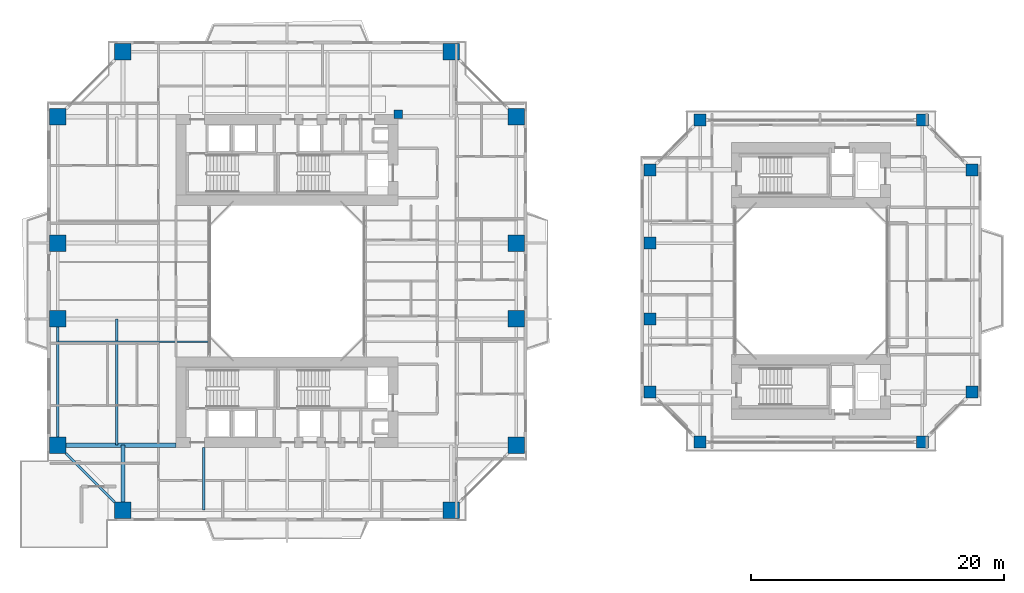
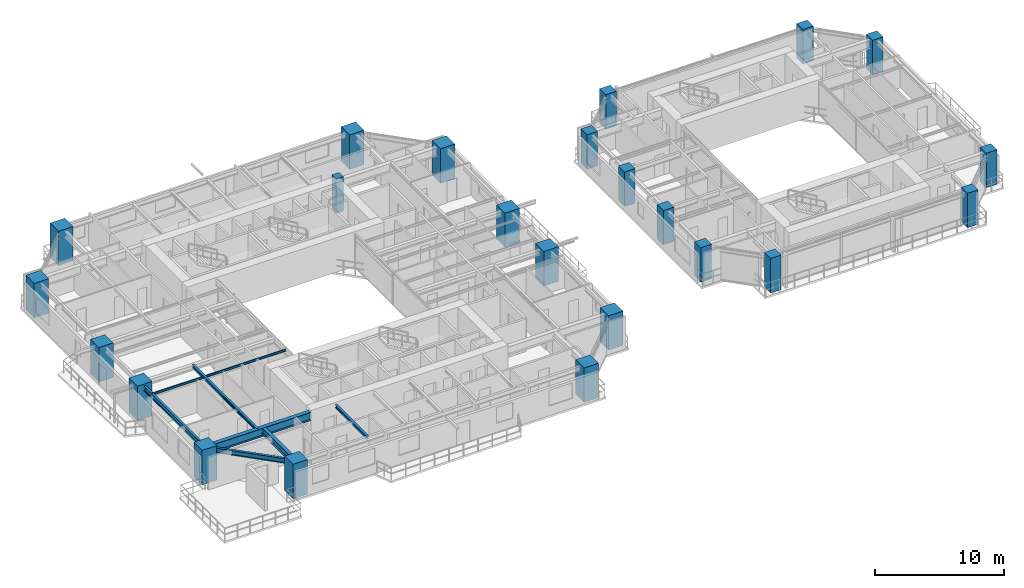
# One storey, part 1 of 22: 23 columns, 7 beams.
"""IFC4 building model written with IfcOpenShell, lengths in metres."""

from ifc_helpers import new_model, si_unit, direction, frame, origin, origin_2d, place, context, subcontext, project, spatial, rectangle, i_section, extrude, source, transform, mapped, material, material_profile, profile_set, type_object, element, save


model = new_model("IFC4")

# Units and contexts
model_context = context("Model", 3, precision=1e-05, world=origin(), true_north=direction((0.0, 1.0)))
body_context = subcontext(model_context, "Body", "Model", "MODEL_VIEW")
ifc_project = project(units=[si_unit("LENGTHUNIT", "METRE"), si_unit("AREAUNIT", "SQUARE_METRE"), si_unit("VOLUMEUNIT", "CUBIC_METRE"), si_unit("PLANEANGLEUNIT", "RADIAN"), si_unit("MASSUNIT", "GRAM", prefix="KILO"), si_unit("THERMODYNAMICTEMPERATUREUNIT", "KELVIN"), si_unit("POWERUNIT", "WATT")], contexts=[model_context])

# Site, building, storey
site_placement = place(None, origin())
site = spatial("IfcSite", under=ifc_project, at=site_placement, CompositionType="ELEMENT")
building_placement = place(site_placement, origin())
building = spatial("IfcBuilding", under=site, at=building_placement, Name="Qiaomeng Ring Towers", CompositionType="ELEMENT")
storey_placement = place(building_placement, frame((0.0, 0.0, 53.5)))
storey = spatial("IfcBuildingStorey", under=building, at=storey_placement, Name="L14", CompositionType="ELEMENT", Elevation=53.5)

# Columns
ifc_material_1 = material(Name="Concrete C50", Category="concrete")
ifc_material_profile_1 = material_profile(ifc_material_1, rectangle(XDim=0.64990234375, YDim=0.64990234375, at=origin_2d()), Name="RC COL 650x650")
ifc_profile_set_1 = profile_set([ifc_material_profile_1], Name="Concrete C50")
column_type_1 = type_object("IfcColumnType", Name="STR-PIL-650", PredefinedType="PILASTER", material=ifc_profile_set_1)
shared_shape_1 = source(origin(), body_context, "Body", "SweptSolid", [
    extrude(rectangle(XDim=0.64990234375, YDim=0.64990234375, at=origin_2d()), origin(), (0.0, 0.0, 1.0), 3.25),
])
column_placement = place(storey_placement, frame((27.800048828125, 36.199951171875, 0.0), z_axis=(0.0, 0.0, 1.0), x_axis=(1.0, 0.0, 0.0)))
element("IfcColumn", 1, at=column_placement, inside=storey, type_object=column_type_1, Name="L14 column STR-PIL-L14-N", PredefinedType="PILASTER", context=body_context, shape_type="MappedRepresentation", body=[
    mapped(shared_shape_1, transform((0.0, 0.0, 0.0), x_axis=(1.0, 0.0, 0.0), y_axis=(0.0, 1.0, 0.0), z_axis=(0.0, 0.0, 1.0), scale=1.0)),
])
ifc_material_2 = material(Name="Concrete C60", Category="concrete")
ifc_material_profile_2 = material_profile(ifc_material_2, rectangle(XDim=1.300048828125, YDim=1.300048828125, at=origin_2d()), Name="RC COL 1300x1300")
ifc_profile_set_2 = profile_set([ifc_material_profile_2], Name="Concrete C60")
column_type_2 = type_object("IfcColumnType", Name="STR-COL-1300", PredefinedType="COLUMN", material=ifc_profile_set_2)
shared_shape_2 = source(origin(), body_context, "Body", "SweptSolid", [
    extrude(rectangle(XDim=1.300048828125, YDim=1.300048828125, at=origin_2d()), origin(), (0.0, 0.0, 1.0), 3.25),
])
for number, where, z_axis, x_axis, name in (
    (2, (6.0, 4.85009765625, 0.0), (0.0, 0.0, 1.0), (1.0, 0.0, 0.0), "L14 column STR-COL-L14-T1-S1"),
    (3, (32.0, 4.85009765625, 0.0), (0.0, 0.0, 1.0), (1.0, 0.0, 0.0), "L14 column STR-COL-L14-T1-S2"),
    (4, (37.14990234375, 10.0, 0.0), (0.0, 0.0, 1.0), (1.0, 0.0, 0.0), "L14 column STR-COL-L14-T1-E1"),
    (5, (37.14990234375, 20.0, 0.0), (0.0, 0.0, 1.0), (1.0, 0.0, 0.0), "L14 column STR-COL-L14-T1-E2"),
    (6, (37.14990234375, 26.0, 0.0), (0.0, 0.0, 1.0), (1.0, 0.0, 0.0), "L14 column STR-COL-L14-T1-E3"),
    (7, (37.14990234375, 36.0, 0.0), (0.0, 0.0, 1.0), (1.0, 0.0, 0.0), "L14 column STR-COL-L14-T1-E4"),
    (8, (32.0, 41.14990234375, 0.0), (0.0, 0.0, 1.0), (1.0, 0.0, 0.0), "L14 column STR-COL-L14-T1-N2"),
    (9, (6.0, 41.14990234375, 0.0), (0.0, 0.0, 1.0), (1.0, 0.0, 0.0), "L14 column STR-COL-L14-T1-N1"),
    (10, (0.85009765625, 36.0, 0.0), (0.0, 0.0, 1.0), (1.0, 0.0, 0.0), "L14 column STR-COL-L14-T1-W4"),
    (11, (0.85009765625, 26.0, 0.0), (0.0, 0.0, 1.0), (1.0, 0.0, 0.0), "L14 column STR-COL-L14-T1-W3"),
    (12, (0.85009765625, 20.0, 0.0), (0.0, 0.0, 1.0), (1.0, 0.0, 0.0), "L14 column STR-COL-L14-T1-W2"),
    (13, (0.85009765625, 10.0, 0.0), (0.0, 0.0, 1.0), (1.0, 0.0, 0.0), "L14 column STR-COL-L14-T1-W1"),
):
    element("IfcColumn", number, at=place(storey_placement, frame(where, z_axis=z_axis, x_axis=x_axis)), inside=storey, type_object=column_type_2, Name=name, PredefinedType="COLUMN", context=body_context, shape_type="MappedRepresentation", body=[
        mapped(shared_shape_2, transform((0.0, 0.0, 0.0), x_axis=(1.0, 0.0, 0.0), y_axis=(0.0, 1.0, 0.0), z_axis=(0.0, 0.0, 1.0), scale=1.0)),
    ])
ifc_material_profile_3 = material_profile(ifc_material_2, rectangle(XDim=0.949951171875, YDim=0.949951171875, at=origin_2d()), Name="RC COL 950x950")
ifc_profile_set_3 = profile_set([ifc_material_profile_3], Name="Concrete C60")
column_type_3 = type_object("IfcColumnType", Name="STR-COL-950-C60", PredefinedType="COLUMN", material=ifc_profile_set_3)
shared_shape_3 = source(origin(), body_context, "Body", "SweptSolid", [
    extrude(rectangle(XDim=0.949951171875, YDim=0.949951171875, at=origin_2d()), origin(), (0.0, 0.0, 1.0), 3.25),
])
for number, where, z_axis, x_axis, name in (
    (14, (51.699951171875, 10.25, 0.0), (0.0, 0.0, 1.0), (1.0, 0.0, 0.0), "L14 column STR-COL-L14-T2-S1"),
    (15, (69.300048828125, 10.25, 0.0), (0.0, 0.0, 1.0), (1.0, 0.0, 0.0), "L14 column STR-COL-L14-T2-S2"),
    (16, (73.25, 14.199951171875, 0.0), (0.0, 0.0, 1.0), (1.0, 0.0, 0.0), "L14 column STR-COL-L14-T2-E1"),
    (17, (73.25, 31.800048828125, 0.0), (0.0, 0.0, 1.0), (1.0, 0.0, 0.0), "L14 column STR-COL-L14-T2-E2"),
    (18, (69.300048828125, 35.75, 0.0), (0.0, 0.0, 1.0), (1.0, 0.0, 0.0), "L14 column STR-COL-L14-T2-N2"),
    (19, (51.699951171875, 35.75, 0.0), (0.0, 0.0, 1.0), (1.0, 0.0, 0.0), "L14 column STR-COL-L14-T2-N1"),
    (20, (47.75, 14.199951171875, 0.0), (0.0, 0.0, 1.0), (1.0, 0.0, 0.0), "L14 column STR-COL-L14-T2-W1"),
    (21, (47.75, 20.0, 0.0), (0.0, 0.0, 1.0), (1.0, 0.0, 0.0), "L14 column STR-COL-L14-T2-W2"),
    (22, (47.75, 26.0, 0.0), (0.0, 0.0, 1.0), (1.0, 0.0, 0.0), "L14 column STR-COL-L14-T2-W3"),
    (23, (47.75, 31.800048828125, 0.0), (0.0, 0.0, 1.0), (1.0, 0.0, 0.0), "L14 column STR-COL-L14-T2-W4"),
):
    element("IfcColumn", number, at=place(storey_placement, frame(where, z_axis=z_axis, x_axis=x_axis)), inside=storey, type_object=column_type_3, Name=name, PredefinedType="COLUMN", context=body_context, shape_type="MappedRepresentation", body=[
        mapped(shared_shape_3, transform((0.0, 0.0, 0.0), x_axis=(1.0, 0.0, 0.0), y_axis=(0.0, 1.0, 0.0), z_axis=(0.0, 0.0, 1.0), scale=1.0)),
    ])

# Beams
ifc_material_3 = material(Name="Steel Q355B", Category="steel")
ifc_material_profile_4 = material_profile(ifc_material_3, i_section(OverallWidth=0.199951171875, OverallDepth=0.449951171875, WebThickness=0.009033203125, FlangeThickness=0.013916015625, FilletRadius=0.01806640625, at=origin_2d()), Name="HN 450x200x9x14")
ifc_profile_set_4 = profile_set([ifc_material_profile_4], Name="Steel Q355B")
beam_type_1 = type_object("IfcBeamType", Name="STR-BM-HN450", PredefinedType="SPANDREL", material=ifc_profile_set_4)
shared_shape_4 = source(origin(), body_context, "Body", "SweptSolid", [
    extrude(i_section(OverallWidth=0.199951171875, OverallDepth=0.449951171875, WebThickness=0.009033203125, FlangeThickness=0.013916015625, FilletRadius=0.01806640625, at=origin_2d()), origin(), (0.0, 0.0, 1.0), 5.446533203125),
])
beam_1_placement = place(storey_placement, frame((1.499267578125, 9.3505859375, 2.844970703125), z_axis=(0.707106781187, -0.707106781187, 0.0), x_axis=(0.707106781187, 0.707106781187, 0.0)))
element("IfcBeam", 24, at=beam_1_placement, inside=storey, type_object=beam_type_1, Name="L14 beam STR-SP-L14-T1-W1-S1", PredefinedType="SPANDREL", context=body_context, shape_type="MappedRepresentation", body=[
    mapped(shared_shape_4, transform((0.0, 0.0, 0.0), x_axis=(1.0, 0.0, 0.0), y_axis=(0.0, 1.0, 0.0), z_axis=(0.0, 0.0, 1.0), scale=1.0)),
])
shared_shape_5 = source(origin(), body_context, "Body", "SweptSolid", [
    extrude(i_section(OverallWidth=0.199951171875, OverallDepth=0.449951171875, WebThickness=0.009033203125, FlangeThickness=0.013916015625, FilletRadius=0.01806640625, at=origin_2d()), origin(), (0.0, 0.0, 1.0), 8.7021484375),
])
beam_2_placement = place(storey_placement, frame((0.85009765625, 19.35107421875, 2.844970703125), z_axis=(0.0, -1.0, 0.0), x_axis=(1.0, 0.0, 0.0)))
element("IfcBeam", 25, at=beam_2_placement, inside=storey, type_object=beam_type_1, Name="L14 beam STR-SP-L14-T1-W2-W1", PredefinedType="SPANDREL", context=body_context, shape_type="MappedRepresentation", body=[
    mapped(shared_shape_5, transform((0.0, 0.0, 0.0), x_axis=(1.0, 0.0, 0.0), y_axis=(0.0, 1.0, 0.0), z_axis=(0.0, 0.0, 1.0), scale=1.0)),
])
ifc_material_4 = material(Name="Steel Q390GJC", Category="steel")
ifc_material_profile_5 = material_profile(ifc_material_4, i_section(OverallWidth=0.35009765625, OverallDepth=0.800048828125, WebThickness=0.01611328125, FlangeThickness=0.028076171875, at=origin_2d()), Name="WH 800x350x16x28")
ifc_profile_set_5 = profile_set([ifc_material_profile_5], Name="Steel Q390GJC")
beam_type_2 = type_object("IfcBeamType", Name="STR-BM-WH800", PredefinedType="BEAM", material=ifc_profile_set_5)
shared_shape_6 = source(origin(), body_context, "Body", "SweptSolid", [
    extrude(i_section(OverallWidth=0.35009765625, OverallDepth=0.800048828125, WebThickness=0.01611328125, FlangeThickness=0.028076171875, at=origin_2d()), origin(), (0.0, 0.0, 1.0), 8.700927734375),
])
beam_3_placement = place(storey_placement, frame((1.4990234375, 10.0, 2.669921875), z_axis=(1.0, 0.0, 0.0), x_axis=(0.0, 1.0, 0.0)))
element("IfcBeam", 26, at=beam_3_placement, inside=storey, type_object=beam_type_2, Name="L14 beam STR-BM-L14-T1-RAD-W1", PredefinedType="BEAM", context=body_context, shape_type="MappedRepresentation", body=[
    mapped(shared_shape_6, transform((0.0, 0.0, 0.0), x_axis=(1.0, 0.0, 0.0), y_axis=(0.0, 1.0, 0.0), z_axis=(0.0, 0.0, 1.0), scale=1.0)),
])
ifc_material_profile_6 = material_profile(ifc_material_3, i_section(OverallWidth=0.300048828125, OverallDepth=0.587890625, WebThickness=0.011962890625, FlangeThickness=0.02001953125, FilletRadius=0.028076171875, at=origin_2d()), Name="HM 588x300x12x20")
ifc_profile_set_6 = profile_set([ifc_material_profile_6], Name="Steel Q355B")
beam_type_3 = type_object("IfcBeamType", Name="STR-BM-HM588", PredefinedType="BEAM", material=ifc_profile_set_6)
shared_shape_7 = source(origin(), body_context, "Body", "SweptSolid", [
    extrude(i_section(OverallWidth=0.300048828125, OverallDepth=0.587890625, WebThickness=0.011962890625, FlangeThickness=0.02001953125, FilletRadius=0.028076171875, at=origin_2d()), origin(), (0.0, 0.0, 1.0), 4.5009765625),
])
beam_4_placement = place(storey_placement, frame((6.0, 5.4990234375, 2.77587890625), z_axis=(0.0, 1.0, 0.0), x_axis=(-1.0, 0.0, 0.0)))
element("IfcBeam", 27, at=beam_4_placement, inside=storey, type_object=beam_type_3, Name="L14 beam STR-BM-L14-T1-RAD-S1", PredefinedType="BEAM", context=body_context, shape_type="MappedRepresentation", body=[
    mapped(shared_shape_7, transform((0.0, 0.0, 0.0), x_axis=(1.0, 0.0, 0.0), y_axis=(0.0, 1.0, 0.0), z_axis=(0.0, 0.0, 1.0), scale=1.0)),
])
ifc_material_profile_7 = material_profile(ifc_material_3, i_section(OverallWidth=0.199951171875, OverallDepth=0.2939453125, WebThickness=0.008056640625, FlangeThickness=0.011962890625, FilletRadius=0.01806640625, at=origin_2d()), Name="HM 294x200x8x12")
ifc_profile_set_7 = profile_set([ifc_material_profile_7], Name="Steel Q355B")
beam_type_4 = type_object("IfcBeamType", Name="STR-BM-HM294", PredefinedType="JOIST", material=ifc_profile_set_7)
shared_shape_8 = source(origin(), body_context, "Body", "SweptSolid", [
    extrude(i_section(OverallWidth=0.199951171875, OverallDepth=0.2939453125, WebThickness=0.008056640625, FlangeThickness=0.011962890625, FilletRadius=0.01806640625, at=origin_2d()), origin(), (0.0, 0.0, 1.0), 4.949951171875),
])
beam_5_placement = place(storey_placement, frame((12.39990234375, 4.85009765625, 2.923095703125), z_axis=(0.0, 1.0, 0.0), x_axis=(-1.0, 0.0, 0.0)))
element("IfcBeam", 28, at=beam_5_placement, inside=storey, type_object=beam_type_4, Name="L14 beam STR-JST-L14-T1S-1", PredefinedType="JOIST", context=body_context, shape_type="MappedRepresentation", body=[
    mapped(shared_shape_8, transform((0.0, 0.0, 0.0), x_axis=(1.0, 0.0, 0.0), y_axis=(0.0, 1.0, 0.0), z_axis=(0.0, 0.0, 1.0), scale=1.0)),
])
ifc_material_profile_8 = material_profile(ifc_material_3, i_section(OverallWidth=0.10009765625, OverallDepth=0.199951171875, WebThickness=0.005615234375, FlangeThickness=0.008056640625, FilletRadius=0.010986328125, at=origin_2d()), Name="HN 200x100x5.5x8")
ifc_profile_set_8 = profile_set([ifc_material_profile_8], Name="Steel Q355B")
beam_type_5 = type_object("IfcBeamType", Name="STR-BM-HN200", PredefinedType="JOIST", material=ifc_profile_set_8)
shared_shape_9 = source(origin(), body_context, "Body", "SweptSolid", [
    extrude(i_section(OverallWidth=0.10009765625, OverallDepth=0.199951171875, WebThickness=0.005615234375, FlangeThickness=0.008056640625, FilletRadius=0.010986328125, at=origin_2d()), origin(), (0.0, 0.0, 1.0), 11.949951171875),
])
beam_6_placement = place(storey_placement, frame((0.85009765625, 18.199951171875, 2.969970703125), z_axis=(1.0, 0.0, 0.0), x_axis=(0.0, 1.0, 0.0)))
element("IfcBeam", 29, at=beam_6_placement, inside=storey, type_object=beam_type_5, Name="L14 beam STR-JST-L14-T1W-1", PredefinedType="JOIST", context=body_context, shape_type="MappedRepresentation", body=[
    mapped(shared_shape_9, transform((0.0, 0.0, 0.0), x_axis=(1.0, 0.0, 0.0), y_axis=(0.0, 1.0, 0.0), z_axis=(0.0, 0.0, 1.0), scale=1.0)),
])
shared_shape_10 = source(origin(), body_context, "Body", "SweptSolid", [
    extrude(i_section(OverallWidth=0.199951171875, OverallDepth=0.2939453125, WebThickness=0.008056640625, FlangeThickness=0.011962890625, FilletRadius=0.01806640625, at=origin_2d()), origin(), (0.0, 0.0, 1.0), 10.0),
])
beam_7_placement = place(storey_placement, frame((5.52490234375, 10.0, 2.923095703125), z_axis=(0.0, 1.0, 0.0), x_axis=(-1.0, 0.0, 0.0)))
element("IfcBeam", 30, at=beam_7_placement, inside=storey, type_object=beam_type_4, Name="L14 beam STR-JST-L14-T1C-WS", PredefinedType="JOIST", context=body_context, shape_type="MappedRepresentation", body=[
    mapped(shared_shape_10, transform((0.0, 0.0, 0.0), x_axis=(1.0, 0.0, 0.0), y_axis=(0.0, 1.0, 0.0), z_axis=(0.0, 0.0, 1.0), scale=1.0)),
])

save(model, "model.ifc")
